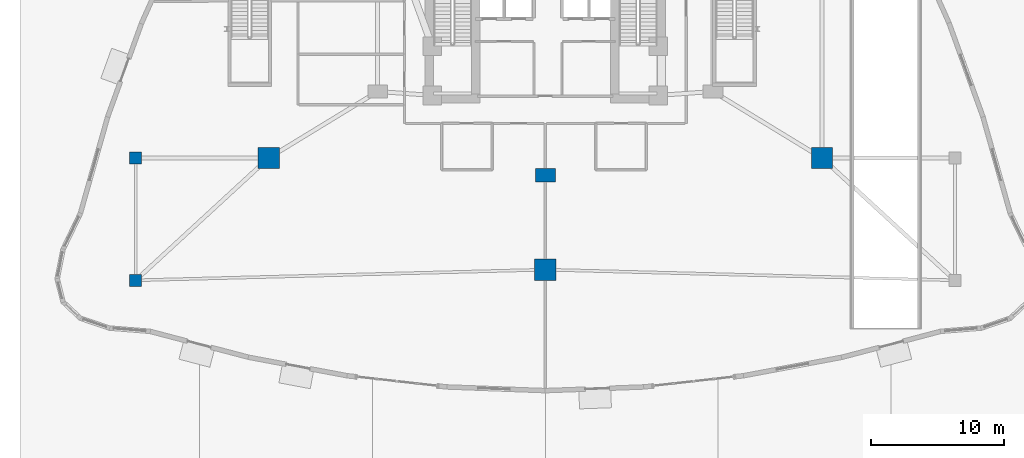
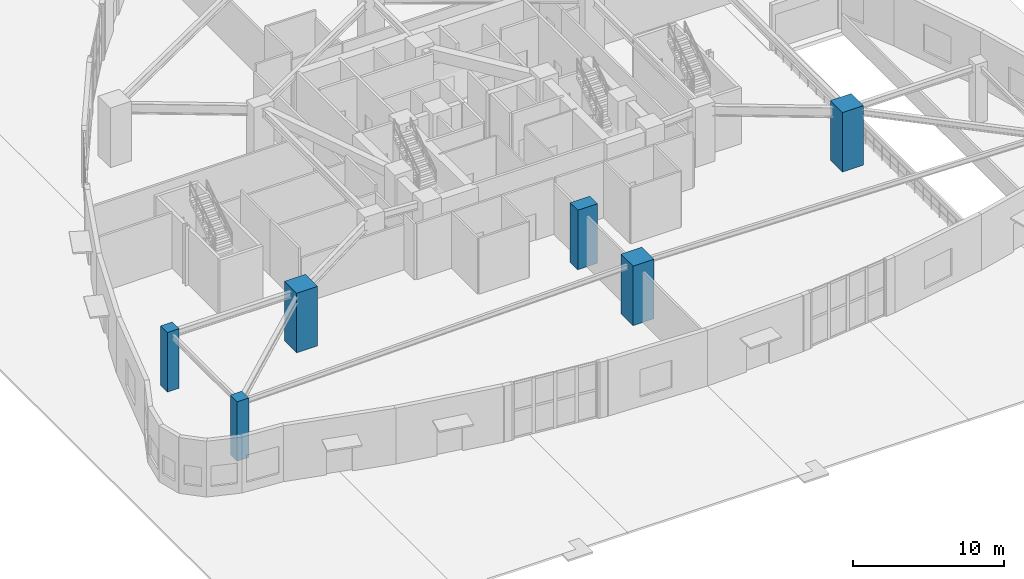
# One storey, part 1 of 32: 6 columns.
"""IFC4 building model written with IfcOpenShell, lengths in metres."""

from ifc_helpers import new_model, si_unit, direction, frame, origin, origin_2d, place, context, subcontext, project, spatial, rectangle, extrude, material, material_profile, profile_set, type_object, element, save


model = new_model("IFC4")

# Units and contexts
model_context = context("Model", 3, precision=1e-05, world=origin(), true_north=direction((0.0, 1.0)))
body_context = subcontext(model_context, "Body", "Model", "MODEL_VIEW")
ifc_project = project(units=[si_unit("LENGTHUNIT", "METRE"), si_unit("AREAUNIT", "SQUARE_METRE"), si_unit("VOLUMEUNIT", "CUBIC_METRE"), si_unit("PLANEANGLEUNIT", "RADIAN"), si_unit("MASSUNIT", "GRAM", prefix="KILO")], contexts=[model_context])

# Site, building, storey
site_placement = place(None, origin())
site = spatial("IfcSite", under=ifc_project, at=site_placement, CompositionType="ELEMENT")
building_placement = place(site_placement, origin())
building = spatial("IfcBuilding", under=site, at=building_placement, Name="Miruveldt Soraemaru", CompositionType="ELEMENT")
storey_placement = place(building_placement, origin())
storey = spatial("IfcBuildingStorey", under=building, at=storey_placement, Name="L01", CompositionType="ELEMENT", Elevation=0.0)

# Columns
ifc_material_1 = material(Name="Concrete C50/60 (50 MPa)", Category="concrete")
ifc_material_profile_1 = material_profile(ifc_material_1, rectangle(XDim=0.89990234375, YDim=0.89990234375, at=origin_2d()), Name="Concrete C50/60 (50 MPa)", Category="concrete")
ifc_profile_set_1 = profile_set([ifc_material_profile_1], Name="Concrete C50/60 (50 MPa)")
column_type_1 = type_object("IfcColumnType", Name="COL-CORE-900", PredefinedType="COLUMN", material=ifc_profile_set_1)
for number, where, z_axis, x_axis, name in (
    (1, (13.199951171875, 21.60009765625, 0.0), (0.0, 0.0, 1.0), (1.0, 0.0, 0.0), "L01 Structural Column PF01"),
    (2, (13.199951171875, 30.800048828125, 0.0), (0.0, 0.0, 1.0), (1.0, 0.0, 0.0), "L01 Structural Column PF02"),
):
    element("IfcColumn", number, at=place(storey_placement, frame(where, z_axis=z_axis, x_axis=x_axis)), inside=storey, type_object=column_type_1, Name=name, PredefinedType="COLUMN", context=body_context, shape_type="SweptSolid", body=[
        extrude(rectangle(XDim=0.89990234375, YDim=0.89990234375, at=origin_2d()), origin(), (0.0, 0.0, 1.0), 4.800048828125),
    ])
ifc_material_2 = material(Name="Concrete C80/95 (80 MPa)", Category="concrete")
ifc_material_profile_2 = material_profile(ifc_material_2, rectangle(XDim=1.60009765625, YDim=1.60009765625, at=origin_2d()), Name="Concrete C80/95 (80 MPa)", Category="concrete")
ifc_profile_set_2 = profile_set([ifc_material_profile_2], Name="Concrete C80/95 (80 MPa)")
column_type_2 = type_object("IfcColumnType", Name="COL-MEGA-1600", PredefinedType="COLUMN", material=ifc_profile_set_2)
for number, where, z_axis, x_axis, name in (
    (3, (64.800048828125, 30.800048828125, 0.0), (0.0, 0.0, 1.0), (1.0, 0.0, 0.0), "L01 Structural Column PM03"),
    (4, (44.0, 22.39990234375, 0.0), (0.0, 0.0, 1.0), (1.0, 0.0, 0.0), "L01 Structural Column PM04"),
    (5, (23.199951171875, 30.800048828125, 0.0), (0.0, 0.0, 1.0), (1.0, 0.0, 0.0), "L01 Structural Column PM05"),
):
    element("IfcColumn", number, at=place(storey_placement, frame(where, z_axis=z_axis, x_axis=x_axis)), inside=storey, type_object=column_type_2, Name=name, PredefinedType="COLUMN", context=body_context, shape_type="SweptSolid", body=[
        extrude(rectangle(XDim=1.60009765625, YDim=1.60009765625, at=origin_2d()), origin(), (0.0, 0.0, 1.0), 4.800048828125),
    ])
ifc_material_profile_3 = material_profile(ifc_material_2, rectangle(XDim=1.5, YDim=1.0, at=origin_2d()), Name="Concrete C80/95 (80 MPa)", Category="concrete")
ifc_profile_set_3 = profile_set([ifc_material_profile_3], Name="Concrete C80/95 (80 MPa)")
column_type_3 = type_object("IfcColumnType", Name="COL-TW-Z1A", PredefinedType="COLUMN", material=ifc_profile_set_3)
column_placement = place(storey_placement, frame((44.0, 29.5, 0.0), z_axis=(0.0, 0.0, 1.0), x_axis=(1.0, 0.0, 0.0)))
element("IfcColumn", 6, at=column_placement, inside=storey, type_object=column_type_3, Name="L01 Structural Column IR04", PredefinedType="COLUMN", context=body_context, shape_type="SweptSolid", body=[
    extrude(rectangle(XDim=1.5, YDim=1.0, at=origin_2d()), origin(), (0.0, 0.0, 1.0), 4.800048828125),
])

save(model, "model.ifc")
